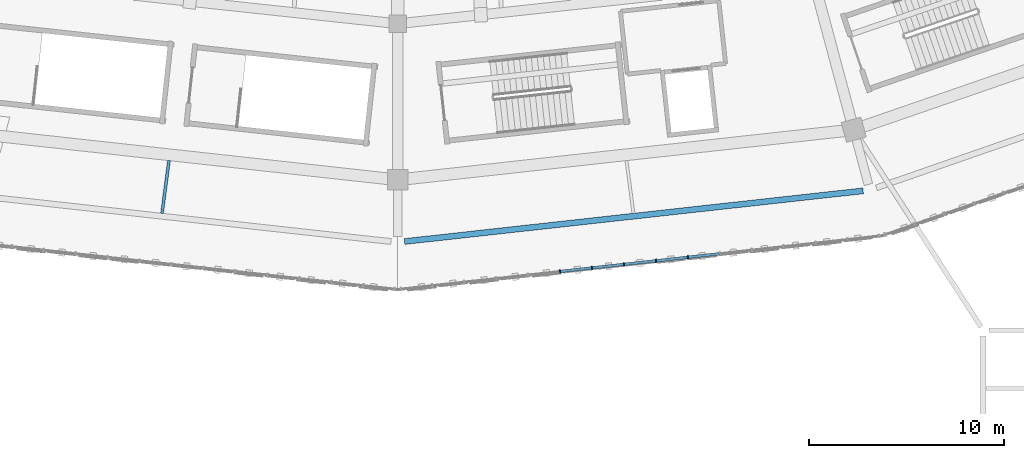
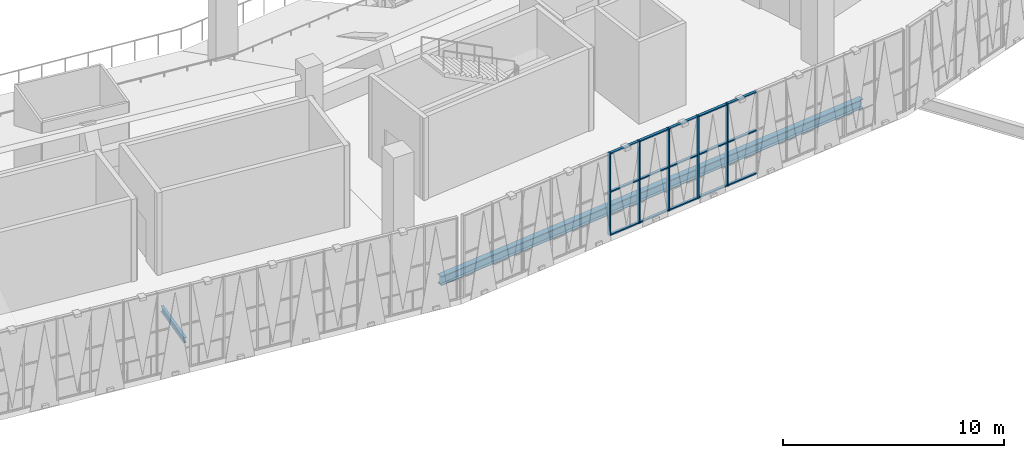
# One storey, part 16 of 152: 20 members, 2 beams, 1 element without a shape of its own.
"""IFC4 building model written with IfcOpenShell, lengths in metres."""

from ifc_helpers import new_model, si_unit, direction, frame, origin, origin_2d, place, context, subcontext, project, spatial, rectangle, i_section, extrude, material, material_profile, profile_set, type_object, element, aggregate, save


model = new_model("IFC4")

# Units and contexts
model_context = context("Model", 3, precision=1e-05, world=origin(), true_north=direction((0.0, 1.0)))
body_context = subcontext(model_context, "Body", "Model", "MODEL_VIEW")
ifc_project = project(units=[si_unit("LENGTHUNIT", "METRE"), si_unit("AREAUNIT", "SQUARE_METRE"), si_unit("VOLUMEUNIT", "CUBIC_METRE"), si_unit("PLANEANGLEUNIT", "RADIAN"), si_unit("MASSUNIT", "GRAM", prefix="KILO")], contexts=[model_context])

# Site, building, storey
site_placement = place(None, origin())
site = spatial("IfcSite", under=ifc_project, at=site_placement, CompositionType="ELEMENT")
building_placement = place(site_placement, origin())
building = spatial("IfcBuilding", under=site, at=building_placement, Name="Zevraka Park Crest Stadium", CompositionType="ELEMENT")
storey_placement = place(building_placement, frame((0.0, 0.0, 15.0)))
storey = spatial("IfcBuildingStorey", under=building, at=storey_placement, Name="L03", CompositionType="ELEMENT", Elevation=15.0)

# Curtain wall, members
ifc_material_1 = material(Name="Anodised architectural aluminium and laminated safety glass", Category="aluminium")
curtain_wall_type = type_object("IfcCurtainWallType", Name="CW11", PredefinedType="NOTDEFINED", material=ifc_material_1)
curtain_wall_placement = place(storey_placement, origin())
curtain_wall = element("IfcCurtainWall", 1, at=curtain_wall_placement, inside=storey, type_object=curtain_wall_type, Name="Unitised Ring Curtain Wall CW11 L03-18", PredefinedType="NOTDEFINED")
ifc_material_2 = material(Name="Anodised architectural aluminium", Category="aluminium")
ifc_material_profile_1 = material_profile(ifc_material_2, rectangle(XDim=0.179931640625, YDim=0.06494140625, at=origin_2d()), Name="ALU MULLION 180x65")
ifc_profile_set_1 = profile_set([ifc_material_profile_1], Name="Anodised architectural aluminium")
member_type_1 = type_object("IfcMemberType", Name="CM02", PredefinedType="MULLION", material=ifc_profile_set_1)
member_1_placement = place(storey_placement, frame((120.319580078125, 12.004638671875, 0.0), z_axis=(0.0, 0.0, 1.0), x_axis=(-0.110396006373, 0.993887680665, 0.0)))
member_1 = element("IfcMember", 2, at=member_1_placement, type_object=member_type_1, Name="CW11 mullion 6", PredefinedType="MULLION", context=body_context, shape_type="SweptSolid", body=[
    extrude(rectangle(XDim=0.179931640625, YDim=0.06494140625, at=origin_2d()), origin(), (0.0, 0.0, 1.0), 4.5400390625),
])
member_2_placement = place(storey_placement, frame((121.95751953125, 12.1865234375, 0.0), z_axis=(0.0, 0.0, 1.0), x_axis=(-0.110396006373, 0.993887680665, 0.0)))
member_2 = element("IfcMember", 3, at=member_2_placement, type_object=member_type_1, Name="CW11 mullion 7", PredefinedType="MULLION", context=body_context, shape_type="SweptSolid", body=[
    extrude(rectangle(XDim=0.179931640625, YDim=0.06494140625, at=origin_2d()), origin(), (0.0, 0.0, 1.0), 4.5400390625),
])
member_3_placement = place(storey_placement, frame((123.595458984375, 12.36865234375, 0.0), z_axis=(0.0, 0.0, 1.0), x_axis=(-0.110396006373, 0.993887680665, 0.0)))
member_3 = element("IfcMember", 4, at=member_3_placement, type_object=member_type_1, Name="CW11 mullion 8", PredefinedType="MULLION", context=body_context, shape_type="SweptSolid", body=[
    extrude(rectangle(XDim=0.179931640625, YDim=0.06494140625, at=origin_2d()), origin(), (0.0, 0.0, 1.0), 4.5400390625),
])
member_4_placement = place(storey_placement, frame((125.2333984375, 12.550537109375, 0.0), z_axis=(0.0, 0.0, 1.0), x_axis=(-0.110396006373, 0.993887680665, 0.0)))
member_4 = element("IfcMember", 5, at=member_4_placement, type_object=member_type_1, Name="CW11 mullion 9", PredefinedType="MULLION", context=body_context, shape_type="SweptSolid", body=[
    extrude(rectangle(XDim=0.179931640625, YDim=0.06494140625, at=origin_2d()), origin(), (0.0, 0.0, 1.0), 4.5400390625),
])
member_5_placement = place(storey_placement, frame((126.871337890625, 12.732421875, 0.0), z_axis=(0.0, 0.0, 1.0), x_axis=(-0.110396006373, 0.993887680665, 0.0)))
member_5 = element("IfcMember", 6, at=member_5_placement, type_object=member_type_1, Name="CW11 mullion 10", PredefinedType="MULLION", context=body_context, shape_type="SweptSolid", body=[
    extrude(rectangle(XDim=0.179931640625, YDim=0.06494140625, at=origin_2d()), origin(), (0.0, 0.0, 1.0), 4.5400390625),
])
ifc_material_3 = material(Name="Anodised architectural aluminium", Category="aluminium")
ifc_material_profile_2 = material_profile(ifc_material_3, rectangle(XDim=0.139892578125, YDim=0.06494140625, at=origin_2d()), Name="ALU TRANSOM 140x65")
ifc_profile_set_2 = profile_set([ifc_material_profile_2], Name="Anodised architectural aluminium")
member_type_2 = type_object("IfcMemberType", Name="CT02", PredefinedType="USERDEFINED", material=ifc_profile_set_2)
member_6_placement = place(storey_placement, frame((120.35205078125, 12.00830078125, 0.032470703125), z_axis=(0.993883734674, 0.110431526075, 0.0), x_axis=(-0.110431526075, 0.993883734674, 0.0)))
member_6 = element("IfcMember", 7, at=member_6_placement, type_object=member_type_2, Name="CW11 transom 6.1", ObjectType="TRANSOM", PredefinedType="USERDEFINED", context=body_context, shape_type="SweptSolid", body=[
    extrude(rectangle(XDim=0.139892578125, YDim=0.06494140625, at=origin_2d()), origin(), (0.0, 0.0, 1.0), 1.5830078125),
])
member_7_placement = place(storey_placement, frame((120.35205078125, 12.00830078125, 2.39990234375), z_axis=(0.993883734674, 0.110431526075, 0.0), x_axis=(-0.110431526075, 0.993883734674, 0.0)))
member_7 = element("IfcMember", 8, at=member_7_placement, type_object=member_type_2, Name="CW11 transom 6.2", ObjectType="TRANSOM", PredefinedType="USERDEFINED", context=body_context, shape_type="SweptSolid", body=[
    extrude(rectangle(XDim=0.139892578125, YDim=0.06494140625, at=origin_2d()), origin(), (0.0, 0.0, 1.0), 1.5830078125),
])
member_8_placement = place(storey_placement, frame((120.35205078125, 12.00830078125, 4.507568359375), z_axis=(0.993883734674, 0.110431526075, 0.0), x_axis=(-0.110431526075, 0.993883734674, 0.0)))
member_8 = element("IfcMember", 9, at=member_8_placement, type_object=member_type_2, Name="CW11 transom 6.3", ObjectType="TRANSOM", PredefinedType="USERDEFINED", context=body_context, shape_type="SweptSolid", body=[
    extrude(rectangle(XDim=0.139892578125, YDim=0.06494140625, at=origin_2d()), origin(), (0.0, 0.0, 1.0), 1.5830078125),
])
member_9_placement = place(storey_placement, frame((121.989990234375, 12.190185546875, 0.032470703125), z_axis=(0.993883734674, 0.110431526075, 0.0), x_axis=(-0.110431526075, 0.993883734674, 0.0)))
member_9 = element("IfcMember", 10, at=member_9_placement, type_object=member_type_2, Name="CW11 transom 7.1", ObjectType="TRANSOM", PredefinedType="USERDEFINED", context=body_context, shape_type="SweptSolid", body=[
    extrude(rectangle(XDim=0.139892578125, YDim=0.06494140625, at=origin_2d()), origin(), (0.0, 0.0, 1.0), 1.5830078125),
])
member_10_placement = place(storey_placement, frame((121.989990234375, 12.190185546875, 2.39990234375), z_axis=(0.993883734674, 0.110431526075, 0.0), x_axis=(-0.110431526075, 0.993883734674, 0.0)))
member_10 = element("IfcMember", 11, at=member_10_placement, type_object=member_type_2, Name="CW11 transom 7.2", ObjectType="TRANSOM", PredefinedType="USERDEFINED", context=body_context, shape_type="SweptSolid", body=[
    extrude(rectangle(XDim=0.139892578125, YDim=0.06494140625, at=origin_2d()), origin(), (0.0, 0.0, 1.0), 1.5830078125),
])
member_11_placement = place(storey_placement, frame((121.989990234375, 12.190185546875, 4.507568359375), z_axis=(0.993883734674, 0.110431526075, 0.0), x_axis=(-0.110431526075, 0.993883734674, 0.0)))
member_11 = element("IfcMember", 12, at=member_11_placement, type_object=member_type_2, Name="CW11 transom 7.3", ObjectType="TRANSOM", PredefinedType="USERDEFINED", context=body_context, shape_type="SweptSolid", body=[
    extrude(rectangle(XDim=0.139892578125, YDim=0.06494140625, at=origin_2d()), origin(), (0.0, 0.0, 1.0), 1.5830078125),
])
member_12_placement = place(storey_placement, frame((123.6279296875, 12.3720703125, 0.032470703125), z_axis=(0.993883734674, 0.110431526075, 0.0), x_axis=(-0.110431526075, 0.993883734674, 0.0)))
member_12 = element("IfcMember", 13, at=member_12_placement, type_object=member_type_2, Name="CW11 transom 8.1", ObjectType="TRANSOM", PredefinedType="USERDEFINED", context=body_context, shape_type="SweptSolid", body=[
    extrude(rectangle(XDim=0.139892578125, YDim=0.06494140625, at=origin_2d()), origin(), (0.0, 0.0, 1.0), 1.5830078125),
])
member_13_placement = place(storey_placement, frame((123.6279296875, 12.3720703125, 2.39990234375), z_axis=(0.993883734674, 0.110431526075, 0.0), x_axis=(-0.110431526075, 0.993883734674, 0.0)))
member_13 = element("IfcMember", 14, at=member_13_placement, type_object=member_type_2, Name="CW11 transom 8.2", ObjectType="TRANSOM", PredefinedType="USERDEFINED", context=body_context, shape_type="SweptSolid", body=[
    extrude(rectangle(XDim=0.139892578125, YDim=0.06494140625, at=origin_2d()), origin(), (0.0, 0.0, 1.0), 1.5830078125),
])
member_14_placement = place(storey_placement, frame((123.6279296875, 12.3720703125, 4.507568359375), z_axis=(0.993883734674, 0.110431526075, 0.0), x_axis=(-0.110431526075, 0.993883734674, 0.0)))
member_14 = element("IfcMember", 15, at=member_14_placement, type_object=member_type_2, Name="CW11 transom 8.3", ObjectType="TRANSOM", PredefinedType="USERDEFINED", context=body_context, shape_type="SweptSolid", body=[
    extrude(rectangle(XDim=0.139892578125, YDim=0.06494140625, at=origin_2d()), origin(), (0.0, 0.0, 1.0), 1.5830078125),
])
member_15_placement = place(storey_placement, frame((125.265869140625, 12.553955078125, 0.032470703125), z_axis=(0.993883734674, 0.110431526075, 0.0), x_axis=(-0.110431526075, 0.993883734674, 0.0)))
member_15 = element("IfcMember", 16, at=member_15_placement, type_object=member_type_2, Name="CW11 transom 9.1", ObjectType="TRANSOM", PredefinedType="USERDEFINED", context=body_context, shape_type="SweptSolid", body=[
    extrude(rectangle(XDim=0.139892578125, YDim=0.06494140625, at=origin_2d()), origin(), (0.0, 0.0, 1.0), 1.5830078125),
])
member_16_placement = place(storey_placement, frame((125.265869140625, 12.553955078125, 2.39990234375), z_axis=(0.993883734674, 0.110431526075, 0.0), x_axis=(-0.110431526075, 0.993883734674, 0.0)))
member_16 = element("IfcMember", 17, at=member_16_placement, type_object=member_type_2, Name="CW11 transom 9.2", ObjectType="TRANSOM", PredefinedType="USERDEFINED", context=body_context, shape_type="SweptSolid", body=[
    extrude(rectangle(XDim=0.139892578125, YDim=0.06494140625, at=origin_2d()), origin(), (0.0, 0.0, 1.0), 1.5830078125),
])
member_17_placement = place(storey_placement, frame((125.265869140625, 12.553955078125, 4.507568359375), z_axis=(0.993883734674, 0.110431526075, 0.0), x_axis=(-0.110431526075, 0.993883734674, 0.0)))
member_17 = element("IfcMember", 18, at=member_17_placement, type_object=member_type_2, Name="CW11 transom 9.3", ObjectType="TRANSOM", PredefinedType="USERDEFINED", context=body_context, shape_type="SweptSolid", body=[
    extrude(rectangle(XDim=0.139892578125, YDim=0.06494140625, at=origin_2d()), origin(), (0.0, 0.0, 1.0), 1.5830078125),
])
member_18_placement = place(storey_placement, frame((126.90380859375, 12.736083984375, 0.032470703125), z_axis=(0.993900651403, 0.110279169111, 0.0), x_axis=(-0.110279169111, 0.993900651403, 0.0)))
member_18 = element("IfcMember", 19, at=member_18_placement, type_object=member_type_2, Name="CW11 transom 10.1", ObjectType="TRANSOM", PredefinedType="USERDEFINED", context=body_context, shape_type="SweptSolid", body=[
    extrude(rectangle(XDim=0.139892578125, YDim=0.06494140625, at=origin_2d()), origin(), (0.0, 0.0, 1.0), 1.5830078125),
])
member_19_placement = place(storey_placement, frame((126.90380859375, 12.736083984375, 2.39990234375), z_axis=(0.993900651403, 0.110279169111, 0.0), x_axis=(-0.110279169111, 0.993900651403, 0.0)))
member_19 = element("IfcMember", 20, at=member_19_placement, type_object=member_type_2, Name="CW11 transom 10.2", ObjectType="TRANSOM", PredefinedType="USERDEFINED", context=body_context, shape_type="SweptSolid", body=[
    extrude(rectangle(XDim=0.139892578125, YDim=0.06494140625, at=origin_2d()), origin(), (0.0, 0.0, 1.0), 1.5830078125),
])
member_20_placement = place(storey_placement, frame((126.90380859375, 12.736083984375, 4.507568359375), z_axis=(0.993900651403, 0.110279169111, 0.0), x_axis=(-0.110279169111, 0.993900651403, 0.0)))
member_20 = element("IfcMember", 21, at=member_20_placement, type_object=member_type_2, Name="CW11 transom 10.3", ObjectType="TRANSOM", PredefinedType="USERDEFINED", context=body_context, shape_type="SweptSolid", body=[
    extrude(rectangle(XDim=0.139892578125, YDim=0.06494140625, at=origin_2d()), origin(), (0.0, 0.0, 1.0), 1.5830078125),
])
aggregate(curtain_wall, [member_1, member_2, member_3, member_4, member_5, member_6, member_7, member_8, member_9, member_10, member_11, member_12, member_13, member_14, member_15, member_16, member_17, member_18, member_19, member_20])

# Beams
ifc_material_4 = material(Name="Steel S355", Category="steel")
ifc_material_profile_3 = material_profile(ifc_material_4, i_section(OverallWidth=0.300048828125, OverallDepth=0.5, WebThickness=0.014404296875, FlangeThickness=0.028076171875, at=origin_2d()), Name="HEB 500")
ifc_profile_set_3 = profile_set([ifc_material_profile_3], Name="Steel S355")
beam_type_1 = type_object("IfcBeamType", Name="RB05", PredefinedType="BEAM", material=ifc_profile_set_3)
beam_1_placement = place(storey_placement, frame((112.347900390625, 13.5380859375, -0.60498046875), z_axis=(0.993942516724, 0.109901198576, 0.0), x_axis=(-0.109901198576, 0.993942516724, 0.0)))
element("IfcBeam", 22, at=beam_1_placement, inside=storey, type_object=beam_type_1, Name="Ring Beam RB05 L03-E-18", PredefinedType="BEAM", context=body_context, shape_type="SweptSolid", body=[
    extrude(i_section(OverallWidth=0.300048828125, OverallDepth=0.5, WebThickness=0.014404296875, FlangeThickness=0.028076171875, at=origin_2d()), origin(), (0.0, 0.0, 1.0), 23.6474609375),
])
ifc_material_5 = material(Name="Steel S355", Category="steel")
ifc_material_profile_4 = material_profile(ifc_material_5, i_section(OverallWidth=0.14990234375, OverallDepth=0.300048828125, WebThickness=0.007080078125, FlangeThickness=0.0107421875, at=origin_2d()), Name="IPE 300")
ifc_profile_set_4 = profile_set([ifc_material_profile_4], Name="Steel S355")
beam_type_2 = type_object("IfcBeamType", Name="SJ01", PredefinedType="JOIST", material=ifc_profile_set_4)
beam_2_placement = place(storey_placement, frame((100.27587890625, 17.69091796875, -0.4580078125), z_axis=(-0.13058389889, -0.991437262438, 0.0), x_axis=(0.991437262438, -0.13058389889, 0.0)))
element("IfcBeam", 23, at=beam_2_placement, inside=storey, type_object=beam_type_2, Name="Floor Joist SJ01 L03-DE-17-1", PredefinedType="JOIST", context=body_context, shape_type="SweptSolid", body=[
    extrude(i_section(OverallWidth=0.14990234375, OverallDepth=0.300048828125, WebThickness=0.007080078125, FlangeThickness=0.0107421875, at=origin_2d()), origin(), (0.0, 0.0, 1.0), 2.7333984375),
])

save(model, "model.ifc")
